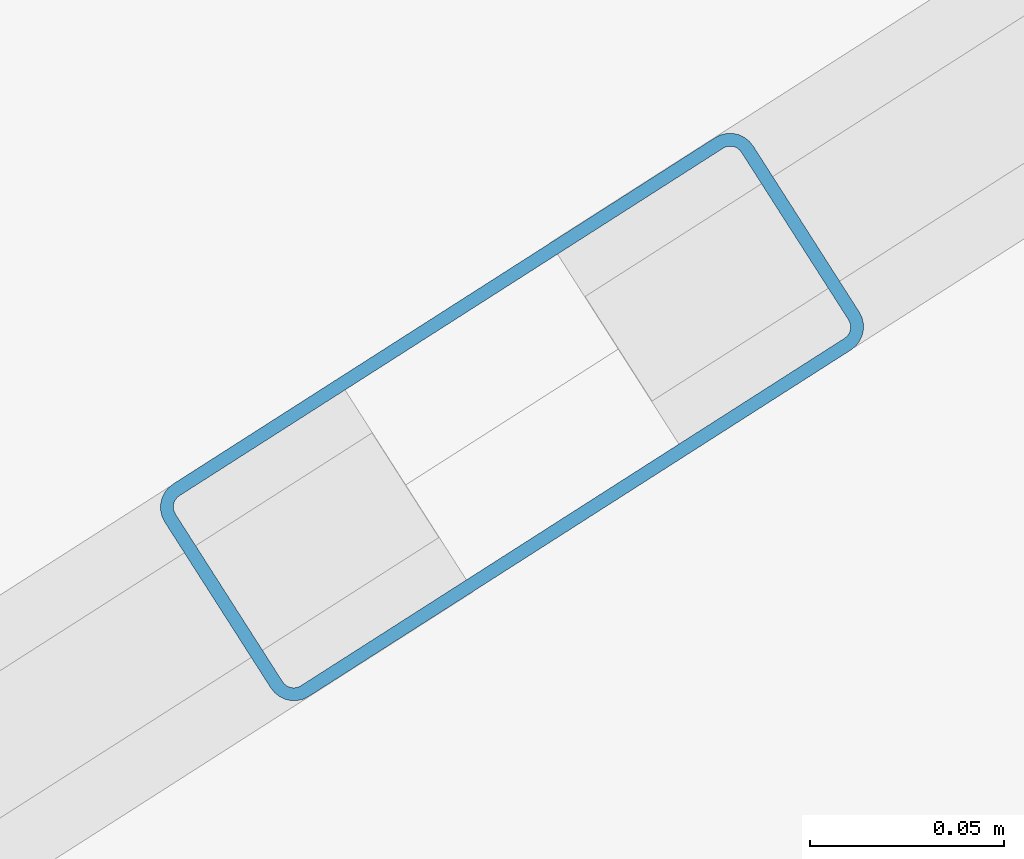
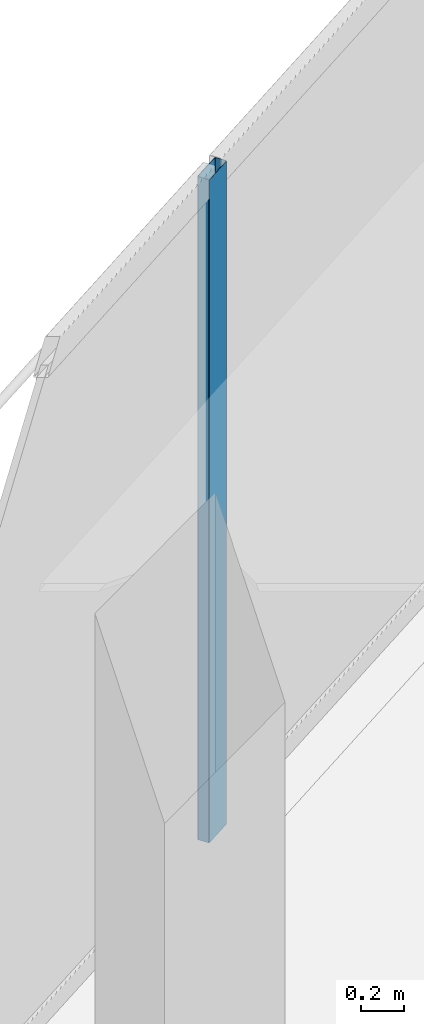
# One storey, part 14 of 40: 1 member, 1 element without a shape of its own.
"""IFC4 building model written with IfcOpenShell, lengths in metres."""

from ifc_helpers import new_model, si_unit, direction, frame, origin, origin_2d, place, context, subcontext, project, spatial, hollow_rectangle, extrude, material, layer, layer_set, material_profile, profile_set, type_object, element, aggregate, save


model = new_model("IFC4")

# Units and contexts
model_context = context("Model", 3, precision=1e-05, world=origin(), true_north=direction((0.0, 1.0)))
body_context = subcontext(model_context, "Body", "Model", "MODEL_VIEW")
ifc_project = project(units=[si_unit("LENGTHUNIT", "METRE"), si_unit("AREAUNIT", "SQUARE_METRE"), si_unit("VOLUMEUNIT", "CUBIC_METRE"), si_unit("PLANEANGLEUNIT", "RADIAN"), si_unit("MASSUNIT", "GRAM", prefix="KILO")], contexts=[model_context])

# Site, building, storey
site_placement = place(None, origin())
site = spatial("IfcSite", under=ifc_project, at=site_placement, CompositionType="ELEMENT")
building_placement = place(site_placement, origin())
building = spatial("IfcBuilding", under=site, at=building_placement, Name="Qorvath Tower", CompositionType="ELEMENT")
storey_placement = place(building_placement, frame((0.0, 0.0, 138.14990234375)))
storey = spatial("IfcBuildingStorey", under=building, at=storey_placement, Name="L31", CompositionType="ELEMENT", Elevation=138.14990234375)

# Curtain wall, member
ifc_material_1 = material(Name="Anodised aluminium and triple low-E glass", Category="aluminium")
ifc_layer = layer(ifc_material_1, 0.179931640625)
ifc_layer_set = layer_set([ifc_layer], Name="CW-SYS-3")
curtain_wall_type = type_object("IfcCurtainWallType", Name="CW-SYS-3", PredefinedType="NOTDEFINED", material=ifc_layer_set)
curtain_wall_placement = place(storey_placement, origin())
curtain_wall = element("IfcCurtainWall", 1, at=curtain_wall_placement, inside=storey, type_object=curtain_wall_type, Name="Curtain Wall CW-3 CW-T-L31-16.1", PredefinedType="NOTDEFINED")
ifc_material_2 = material(Name="Anodised aluminium 6063-T6", Category="aluminium")
ifc_material_profile = material_profile(ifc_material_2, hollow_rectangle(XDim=0.06494140625, YDim=0.179931640625, WallThickness=0.00341796875, InnerFilletRadius=0.00341796875, OuterFilletRadius=0.007080078125, at=origin_2d()), Name="CWM 180x65")
ifc_profile_set = profile_set([ifc_material_profile], Name="Anodised aluminium 6063-T6")
member_type = type_object("IfcMemberType", Name="CWM-180", PredefinedType="MULLION", material=ifc_profile_set)
member_placement = place(storey_placement, frame((-43.501220703125, 12.58642578125, 0.0), z_axis=(0.0, 0.0, 1.0), x_axis=(0.538534399095, -0.842603525385, 0.0)))
member = element("IfcMember", 2, at=member_placement, type_object=member_type, Name="CW-3 mullion 7", PredefinedType="MULLION", context=body_context, shape_type="SweptSolid", body=[
    extrude(hollow_rectangle(XDim=0.06494140625, YDim=0.179931640625, WallThickness=0.00341796875, InnerFilletRadius=0.00341796875, OuterFilletRadius=0.007080078125, at=origin_2d()), origin(), (0.0, 0.0, 1.0), 3.780029296875),
])
aggregate(curtain_wall, [member])

save(model, "model.ifc")
